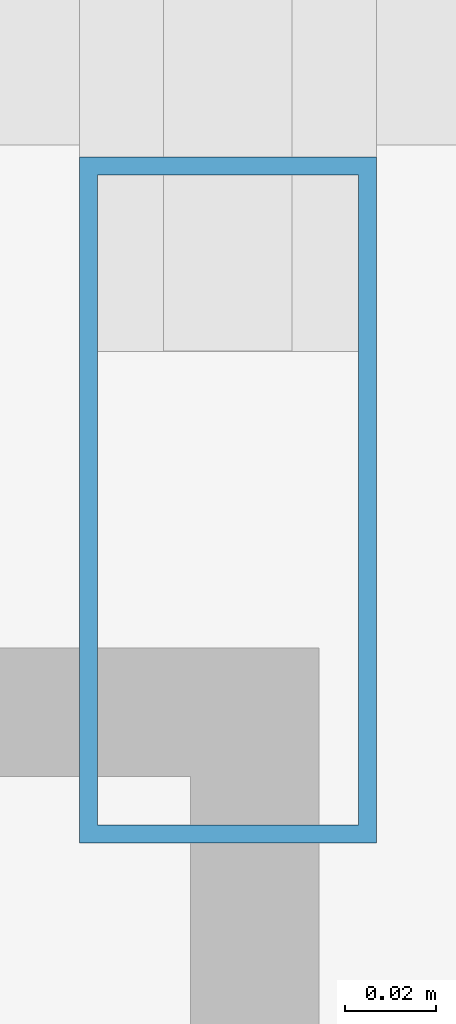
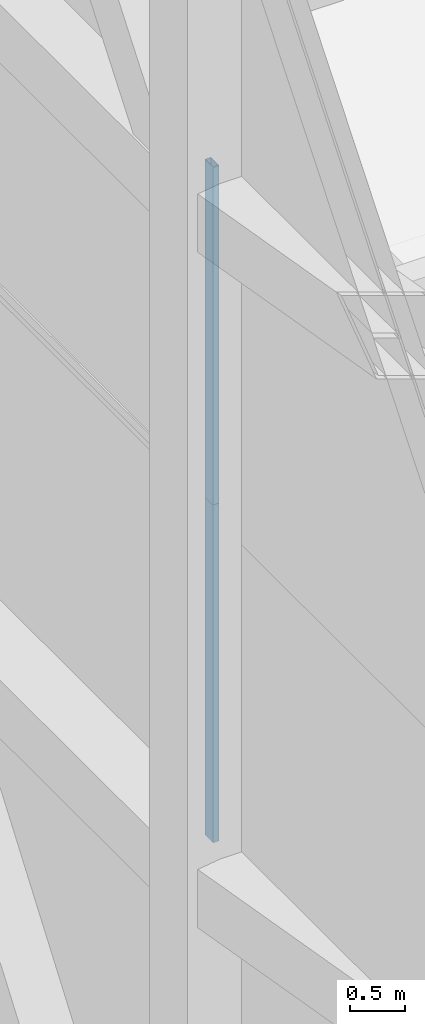
# One storey, part 5 of 28: 2 members, 2 elements without a shape of their own.
"""IFC4 building model written with IfcOpenShell, lengths in metres."""

from ifc_helpers import new_model, si_unit, direction, frame, origin, origin_2d, place, context, subcontext, project, spatial, hollow_rectangle, extrude, material, material_profile, profile_set, type_object, element, aggregate, save


model = new_model("IFC4")

# Units and contexts
model_context = context("Model", 3, precision=1e-05, world=origin(), true_north=direction((0.0, 1.0)))
body_context = subcontext(model_context, "Body", "Model", "MODEL_VIEW")
ifc_project = project(units=[si_unit("LENGTHUNIT", "METRE"), si_unit("AREAUNIT", "SQUARE_METRE"), si_unit("VOLUMEUNIT", "CUBIC_METRE"), si_unit("PLANEANGLEUNIT", "RADIAN"), si_unit("MASSUNIT", "GRAM", prefix="KILO")], contexts=[model_context])

# Site, building, storey
site_placement = place(None, origin())
site = spatial("IfcSite", under=ifc_project, at=site_placement, CompositionType="ELEMENT")
building_placement = place(site_placement, origin())
building = spatial("IfcBuilding", under=site, at=building_placement, Name="Tashvorn Skyway Center", CompositionType="ELEMENT")
storey_placement = place(building_placement, frame((0.0, 0.0, 277.60009765625)))
storey = spatial("IfcBuildingStorey", under=building, at=storey_placement, Name="Roof Level", CompositionType="ELEMENT", Elevation=277.60009765625)

# Curtain wall, member
ifc_material = material(Name="Thermally broken bronze-anodized aluminium 6063-T6", Category="aluminium")
curtain_wall_type = type_object("IfcCurtainWallType", Name="CW-CW-SKY", PredefinedType="NOTDEFINED", material=ifc_material)
curtain_wall_1_placement = place(storey_placement, origin())
curtain_wall_1 = element("IfcCurtainWall", 1, at=curtain_wall_1_placement, inside=storey, type_object=curtain_wall_type, Name="CROWN Lantern Fritted Curtain Wall T1 W-3", PredefinedType="NOTDEFINED")
ifc_material_profile = material_profile(ifc_material, hollow_rectangle(XDim=0.06494140625, YDim=0.14990234375, WallThickness=0.00390625, at=origin_2d()), Name="ALU-MULL-65x150")
ifc_profile_set = profile_set([ifc_material_profile], Name="Thermally broken bronze-anodized aluminium 6063-T6")
member_type = type_object("IfcMemberType", Name="CWM-CW-SKY", PredefinedType="MULLION", material=ifc_profile_set)
member_1_placement = place(storey_placement, frame((27.780029296875, 26.982421875, 7.52978515625), z_axis=(0.0, 0.0, 1.0), x_axis=(-1.0, 0.0, 0.0)))
member_1 = element("IfcMember", 2, at=member_1_placement, type_object=member_type, Name="CW-SKY mullion 1", PredefinedType="MULLION", context=body_context, shape_type="SweptSolid", body=[
    extrude(hollow_rectangle(XDim=0.06494140625, YDim=0.14990234375, WallThickness=0.00390625, at=origin_2d()), origin(), (0.0, 0.0, 1.0), 3.76513671875),
])
aggregate(curtain_wall_1, [member_1])

curtain_wall_2_placement = place(storey_placement, origin())
curtain_wall_2 = element("IfcCurtainWall", 3, at=curtain_wall_2_placement, inside=storey, type_object=curtain_wall_type, Name="CROWN Lantern Fritted Curtain Wall T1 W-4", PredefinedType="NOTDEFINED")
member_2_placement = place(storey_placement, frame((27.780029296875, 26.982421875, 11.294921875), z_axis=(0.0, 0.0, 1.0), x_axis=(-1.0, 0.0, 0.0)))
member_2 = element("IfcMember", 4, at=member_2_placement, type_object=member_type, Name="CW-SKY mullion 1", PredefinedType="MULLION", context=body_context, shape_type="SweptSolid", body=[
    extrude(hollow_rectangle(XDim=0.06494140625, YDim=0.14990234375, WallThickness=0.00390625, at=origin_2d()), origin(), (0.0, 0.0, 1.0), 3.764892578125),
])
aggregate(curtain_wall_2, [member_2])

save(model, "model.ifc")
